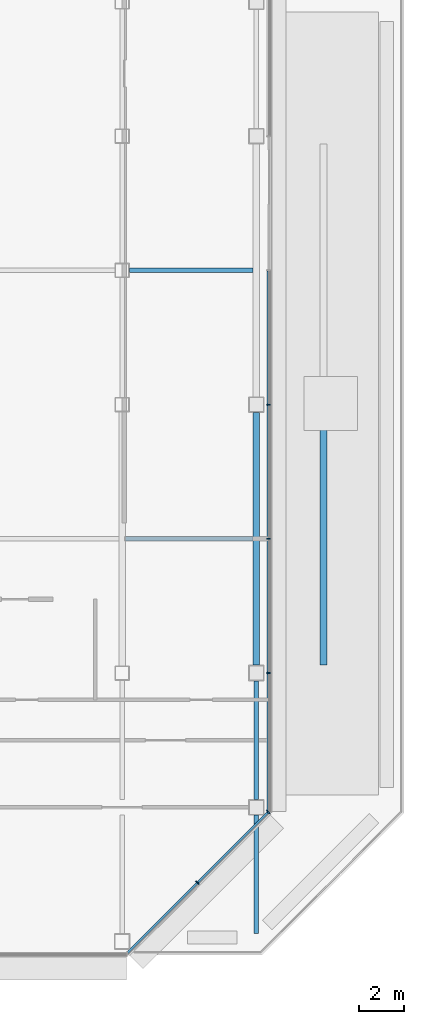
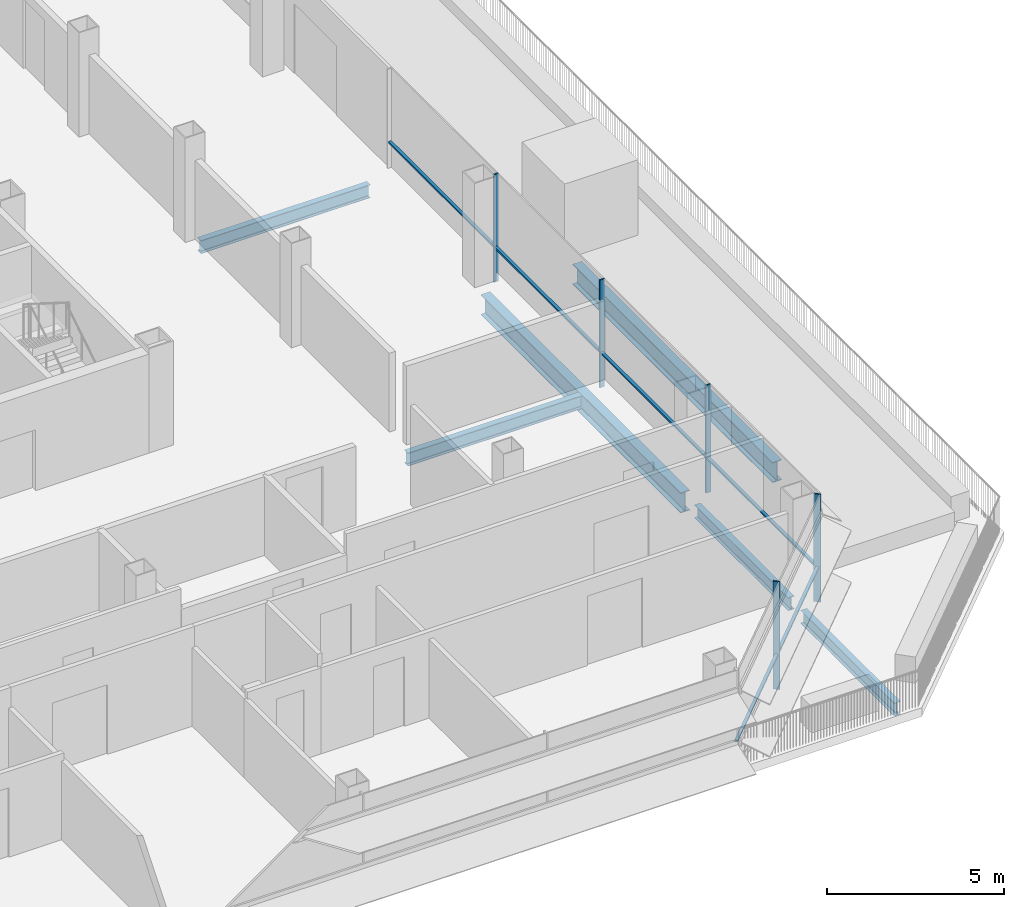
# One storey, part 14 of 27: 7 members, 6 beams, 2 elements without a shape of their own.
"""IFC4 building model written with IfcOpenShell, lengths in metres."""

from ifc_helpers import new_model, si_unit, direction, frame, origin, origin_2d, place, context, subcontext, project, spatial, rectangle, i_section, extrude, material, material_profile, profile_set, type_object, element, aggregate, save


model = new_model("IFC4")

# Units and contexts
model_context = context("Model", 3, precision=1e-05, world=origin(), true_north=direction((0.0, 1.0)))
body_context = subcontext(model_context, "Body", "Model", "MODEL_VIEW")
ifc_project = project(units=[si_unit("LENGTHUNIT", "METRE"), si_unit("AREAUNIT", "SQUARE_METRE"), si_unit("VOLUMEUNIT", "CUBIC_METRE"), si_unit("PLANEANGLEUNIT", "RADIAN"), si_unit("MASSUNIT", "GRAM", prefix="KILO")], contexts=[model_context])

# Site, building, storey
site_placement = place(None, origin())
site = spatial("IfcSite", under=ifc_project, at=site_placement, CompositionType="ELEMENT")
building_placement = place(site_placement, origin())
building = spatial("IfcBuilding", under=site, at=building_placement, Name="Sorahane Residences", CompositionType="ELEMENT")
storey_placement = place(building_placement, frame((0.0, 0.0, 192.0)))
storey = spatial("IfcBuildingStorey", under=building, at=storey_placement, Name="L44", CompositionType="ELEMENT", Elevation=192.0)

# Curtain wall, members
ifc_material_1 = material(Name="Dark low-e glass and black anodised aluminium", Category="aluminium")
curtain_wall_type_1 = type_object("IfcCurtainWallType", Name="Curtain wall CW-1 Typical unitised wall", PredefinedType="NOTDEFINED", material=ifc_material_1)
curtain_wall_1_placement = place(storey_placement, origin())
curtain_wall_1 = element("IfcCurtainWall", 1, at=curtain_wall_1_placement, inside=storey, type_object=curtain_wall_type_1, Name="CW-1 curtain wall L44 E1", PredefinedType="NOTDEFINED")
ifc_material_2 = material(Name="Black anodised aluminium", Category="aluminium")
ifc_material_profile_1 = material_profile(ifc_material_2, rectangle(XDim=0.159912109375, YDim=0.050048828125, at=origin_2d()), Name="Curtain wall mullion CW-1 black anodised aluminium 50x160")
ifc_profile_set_1 = profile_set([ifc_material_profile_1], Name="Black anodised aluminium")
member_type_1 = type_object("IfcMemberType", Name="Curtain wall mullion CW-1 black anodised aluminium 50x160", PredefinedType="MULLION", material=ifc_profile_set_1)
member_1_placement = place(storey_placement, frame((54.5400390625, 12.0, -0.300048828125), z_axis=(0.0, 0.0, 1.0), x_axis=(1.0, 0.0, 0.0)))
member_1 = element("IfcMember", 2, at=member_1_placement, type_object=member_type_1, Name="CW-1 mullion L44 E1.2", PredefinedType="MULLION", context=body_context, shape_type="SweptSolid", body=[
    extrude(rectangle(XDim=0.159912109375, YDim=0.050048828125, at=origin_2d()), origin(), (0.0, 0.0, 1.0), 3.719970703125),
])
member_2_placement = place(storey_placement, frame((54.5400390625, 18.0, -0.300048828125), z_axis=(0.0, 0.0, 1.0), x_axis=(1.0, 0.0, 0.0)))
member_2 = element("IfcMember", 3, at=member_2_placement, type_object=member_type_1, Name="CW-1 mullion L44 E1.3", PredefinedType="MULLION", context=body_context, shape_type="SweptSolid", body=[
    extrude(rectangle(XDim=0.159912109375, YDim=0.050048828125, at=origin_2d()), origin(), (0.0, 0.0, 1.0), 3.719970703125),
])
member_3_placement = place(storey_placement, frame((54.5400390625, 24.0, -0.300048828125), z_axis=(0.0, 0.0, 1.0), x_axis=(1.0, 0.0, 0.0)))
member_3 = element("IfcMember", 4, at=member_3_placement, type_object=member_type_1, Name="CW-1 mullion L44 E1.4", PredefinedType="MULLION", context=body_context, shape_type="SweptSolid", body=[
    extrude(rectangle(XDim=0.159912109375, YDim=0.050048828125, at=origin_2d()), origin(), (0.0, 0.0, 1.0), 3.719970703125),
])

ifc_material_3 = material(Name="Dark low-e glass and black anodised aluminium", Category="aluminium")
curtain_wall_type_2 = type_object("IfcCurtainWallType", Name="Curtain wall CW-2 Chamfer unitised wall", PredefinedType="NOTDEFINED", material=ifc_material_3)
curtain_wall_2_placement = place(storey_placement, origin())
curtain_wall_2 = element("IfcCurtainWall", 5, at=curtain_wall_2_placement, inside=storey, type_object=curtain_wall_type_2, Name="CW-2 curtain wall L44 SE1", PredefinedType="NOTDEFINED")
ifc_material_4 = material(Name="Black anodised aluminium", Category="aluminium")
ifc_material_profile_2 = material_profile(ifc_material_4, rectangle(XDim=0.199951171875, YDim=0.050048828125, at=origin_2d()), Name="Curtain wall mullion CW-2 black anodised aluminium 50x200")
ifc_profile_set_2 = profile_set([ifc_material_profile_2], Name="Black anodised aluminium")
member_type_2 = type_object("IfcMemberType", Name="Curtain wall mullion CW-2 black anodised aluminium 50x200", PredefinedType="MULLION", material=ifc_profile_set_2)
member_4_placement = place(storey_placement, frame((51.36767578125, 2.63232421875, -0.300048828125), z_axis=(0.0, 0.0, 1.0), x_axis=(0.707106781187, -0.707106781187, 0.0)))
member_4 = element("IfcMember", 6, at=member_4_placement, type_object=member_type_2, Name="CW-2 mullion L44 SE1.2", PredefinedType="MULLION", context=body_context, shape_type="SweptSolid", body=[
    extrude(rectangle(XDim=0.199951171875, YDim=0.050048828125, at=origin_2d()), origin(), (0.0, 0.0, 1.0), 3.719970703125),
])
member_5_placement = place(storey_placement, frame((54.525634765625, 5.790283203125, -0.300048828125), z_axis=(0.0, 0.0, 1.0), x_axis=(0.707106781187, -0.707106781187, 0.0)))
member_5 = element("IfcMember", 7, at=member_5_placement, type_object=member_type_2, Name="CW-2 mullion L44 SE1.3", PredefinedType="MULLION", context=body_context, shape_type="SweptSolid", body=[
    extrude(rectangle(XDim=0.199951171875, YDim=0.050048828125, at=origin_2d()), origin(), (0.0, 0.0, 1.0), 3.719970703125),
])

# Member
ifc_material_5 = material(Name="Black anodised aluminium", Category="aluminium")
ifc_material_profile_3 = material_profile(ifc_material_5, rectangle(XDim=0.10009765625, YDim=0.06005859375, at=origin_2d()), Name="Curtain wall transom CW-1 black anodised aluminium 60x100")
ifc_profile_set_3 = profile_set([ifc_material_profile_3], Name="Black anodised aluminium")
member_type_3 = type_object("IfcMemberType", Name="Curtain wall transom CW-1 black anodised aluminium 60x100", PredefinedType="USERDEFINED", material=ifc_profile_set_3)
member_6_placement = place(storey_placement, frame((54.530029296875, 5.801513671875, 0.89990234375), z_axis=(0.0, 1.0, 0.0), x_axis=(-1.0, 0.0, 0.0)))
member_6 = element("IfcMember", 8, at=member_6_placement, type_object=member_type_3, Name="CW-1 transom L44 E1.1", ObjectType="TRANSOM", PredefinedType="USERDEFINED", context=body_context, shape_type="SweptSolid", body=[
    extrude(rectangle(XDim=0.10009765625, YDim=0.06005859375, at=origin_2d()), origin(), (0.0, 0.0, 1.0), 24.173583984375),
])

aggregate(curtain_wall_1, [member_1, member_2, member_3, member_6])

ifc_material_6 = material(Name="Black anodised aluminium", Category="aluminium")
ifc_material_profile_4 = material_profile(ifc_material_6, rectangle(XDim=0.10009765625, YDim=0.06005859375, at=origin_2d()), Name="Curtain wall transom CW-2 black anodised aluminium 60x100")
ifc_profile_set_4 = profile_set([ifc_material_profile_4], Name="Black anodised aluminium")
member_type_4 = type_object("IfcMemberType", Name="Curtain wall transom CW-2 black anodised aluminium 60x100", PredefinedType="USERDEFINED", material=ifc_profile_set_4)
member_7_placement = place(storey_placement, frame((48.234375, -0.51513671875, 0.89990234375), z_axis=(0.707106781187, 0.707106781187, 0.0), x_axis=(-0.707106781187, 0.707106781187, 0.0)))
member_7 = element("IfcMember", 9, at=member_7_placement, type_object=member_type_4, Name="CW-2 transom L44 SE1", ObjectType="TRANSOM", PredefinedType="USERDEFINED", context=body_context, shape_type="SweptSolid", body=[
    extrude(rectangle(XDim=0.10009765625, YDim=0.06005859375, at=origin_2d()), origin(), (0.0, 0.0, 1.0), 8.88232421875),
])

aggregate(curtain_wall_2, [member_4, member_5, member_7])

# Beams
ifc_material_7 = material(Name="Steel Q355B", Category="steel")
ifc_material_profile_5 = material_profile(ifc_material_7, i_section(OverallWidth=0.199951171875, OverallDepth=0.449951171875, WebThickness=0.009033203125, FlangeThickness=0.013916015625, FilletRadius=0.02001953125, at=origin_2d()), Name="HN 450x200x9x14")
ifc_profile_set_5 = profile_set([ifc_material_profile_5], Name="Steel Q355B")
beam_type_1 = type_object("IfcBeamType", Name="Steel floor beam HN 450x200x9x14 Q355B", PredefinedType="BEAM", material=ifc_profile_set_5)
for number, where, z_axis, x_axis, name in (
    (10, (54.0, 0.35009765625, -0.52490234375), (0.0, 1.0, 0.0), (-1.0, 0.0, 0.0), "Beam L44 050"),
    (11, (54.0, 6.35009765625, -0.52490234375), (0.0, 1.0, 0.0), (-1.0, 0.0, 0.0), "Beam L44 051"),
):
    element("IfcBeam", number, at=place(storey_placement, frame(where, z_axis=z_axis, x_axis=x_axis)), inside=storey, type_object=beam_type_1, Name=name, PredefinedType="BEAM", context=body_context, shape_type="SweptSolid", body=[
        extrude(i_section(OverallWidth=0.199951171875, OverallDepth=0.449951171875, WebThickness=0.009033203125, FlangeThickness=0.013916015625, FilletRadius=0.02001953125, at=origin_2d()), origin(), (0.0, 0.0, 1.0), 5.2998046875),
    ])
beam_1_placement = place(storey_placement, frame((48.14990234375, 18.0, -0.52490234375), z_axis=(1.0, 0.0, 0.0), x_axis=(0.0, 1.0, 0.0)))
element("IfcBeam", 12, at=beam_1_placement, inside=storey, type_object=beam_type_1, Name="Beam L44 062", PredefinedType="BEAM", context=body_context, shape_type="SweptSolid", body=[
    extrude(i_section(OverallWidth=0.199951171875, OverallDepth=0.449951171875, WebThickness=0.009033203125, FlangeThickness=0.013916015625, FilletRadius=0.02001953125, at=origin_2d()), origin(), (0.0, 0.0, 1.0), 5.7001953125),
])
beam_2_placement = place(storey_placement, frame((48.324951171875, 30.0, -0.52490234375), z_axis=(1.0, 0.0, 0.0), x_axis=(0.0, 1.0, 0.0)))
element("IfcBeam", 13, at=beam_2_placement, inside=storey, type_object=beam_type_1, Name="Beam L44 066", PredefinedType="BEAM", context=body_context, shape_type="SweptSolid", body=[
    extrude(i_section(OverallWidth=0.199951171875, OverallDepth=0.449951171875, WebThickness=0.009033203125, FlangeThickness=0.013916015625, FilletRadius=0.02001953125, at=origin_2d()), origin(), (0.0, 0.0, 1.0), 5.525146484375),
])
ifc_material_8 = material(Name="Steel Q355B", Category="steel")
ifc_material_profile_6 = material_profile(ifc_material_8, i_section(OverallWidth=0.300048828125, OverallDepth=0.699951171875, WebThickness=0.012939453125, FlangeThickness=0.02392578125, FilletRadius=0.028076171875, at=origin_2d()), Name="HN 700x300x13x24")
ifc_profile_set_6 = profile_set([ifc_material_profile_6], Name="Steel Q355B")
beam_type_2 = type_object("IfcBeamType", Name="Steel floor beam HN 700x300x13x24 Q355B", PredefinedType="BEAM", material=ifc_profile_set_6)
for number, where, z_axis, x_axis, name in (
    (14, (54.0, 12.35009765625, -0.64990234375), (0.0, 1.0, 0.0), (-1.0, 0.0, 0.0), "Beam L44 052"),
    (15, (57.0, 12.35009765625, -0.64990234375), (0.0, 1.0, 0.0), (-1.0, 0.0, 0.0), "Beam L44 067"),
):
    element("IfcBeam", number, at=place(storey_placement, frame(where, z_axis=z_axis, x_axis=x_axis)), inside=storey, type_object=beam_type_2, Name=name, PredefinedType="BEAM", context=body_context, shape_type="SweptSolid", body=[
        extrude(i_section(OverallWidth=0.300048828125, OverallDepth=0.699951171875, WebThickness=0.012939453125, FlangeThickness=0.02392578125, FilletRadius=0.028076171875, at=origin_2d()), origin(), (0.0, 0.0, 1.0), 11.2998046875),
    ])

save(model, "model.ifc")
